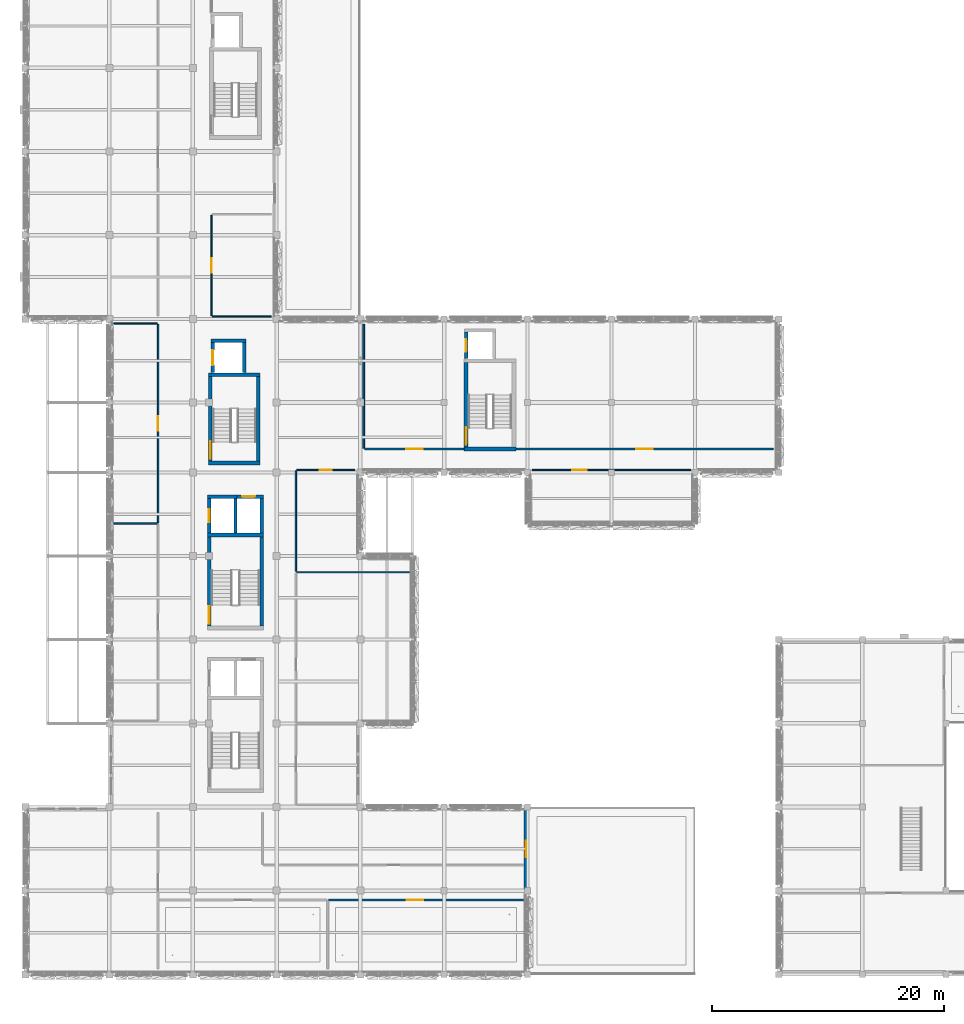
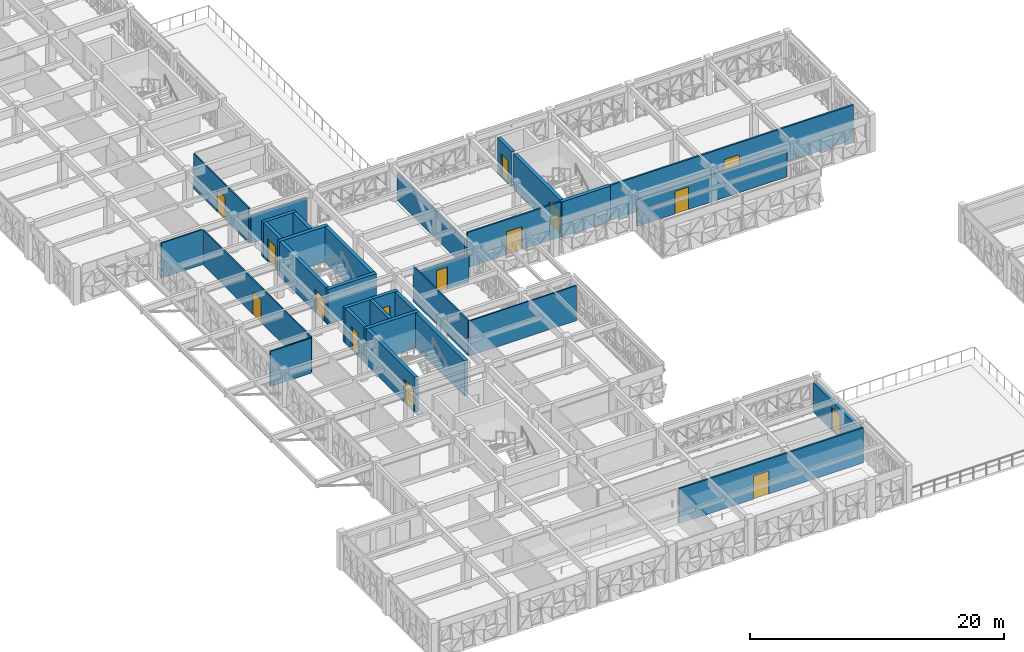
# One storey, part 51 of 99: 32 walls, 15 doors, 15 openings.
"""IFC4 building model written with IfcOpenShell, lengths in metres."""

from ifc_helpers import new_model, si_unit, direction, frame, frame_2d, origin, place, context, subcontext, project, spatial, rectangle, extrude, material, layer, layer_set, type_object, element, fill, save


model = new_model("IFC4")

# Units and contexts
model_context = context("Model", 3, precision=1e-05, world=origin(), true_north=direction((0.0, 1.0)))
body_context = subcontext(model_context, "Body", "Model", "MODEL_VIEW")
ifc_project = project(units=[si_unit("LENGTHUNIT", "METRE"), si_unit("AREAUNIT", "SQUARE_METRE"), si_unit("VOLUMEUNIT", "CUBIC_METRE"), si_unit("PLANEANGLEUNIT", "RADIAN"), si_unit("MASSUNIT", "GRAM", prefix="KILO")], contexts=[model_context])

# Site, building, storey
site_placement = place(None, origin())
site = spatial("IfcSite", under=ifc_project, at=site_placement, CompositionType="ELEMENT")
building_placement = place(site_placement, origin())
building = spatial("IfcBuilding", under=site, at=building_placement, Name="Alvorim Cloister Faculty of Sciences", CompositionType="ELEMENT")
storey_placement = place(building_placement, frame((0.0, 0.0, 12.14990234375)))
storey = spatial("IfcBuildingStorey", under=building, at=storey_placement, Name="L03", CompositionType="ELEMENT", Elevation=12.14990234375)

# Wall, opening, door
ifc_material_1 = material(Name="Precast Concrete C40", Category="concrete")
ifc_layer_1 = layer(ifc_material_1, 0.320068359375)
ifc_layer_set_1 = layer_set([ifc_layer_1], Name="Precast Concrete C40")
wall_type_1 = type_object("IfcWallType", Name="WL-EXT-PC-320", PredefinedType="SOLIDWALL", material=ifc_layer_set_1)
wall_1_placement = place(storey_placement, frame((43.0400390625, 7.199951171875, 0.0), z_axis=(0.0, 0.0, 1.0), x_axis=(0.0, 1.0, 0.0)))
wall_1 = element("IfcWall", 1, at=wall_1_placement, inside=storey, type_object=wall_type_1, Name="L03 Exterior Wall WL-0195", PredefinedType="SOLIDWALL", context=body_context, shape_type="SweptSolid", body=[
    extrude(rectangle(XDim=7.199951171875, YDim=0.320068359375, at=frame_2d((3.60009765625, 0.0))), origin(), (0.0, 0.0, 1.0), 2.840087890625),
])
opening_1_placement = place(wall_1_placement, frame((2.89990234375, 0.0, 0.0)))
opening_1 = element("IfcOpeningElement", 2, at=opening_1_placement, cuts=wall_1, Name="Opening TD-04", PredefinedType="OPENING", context=body_context, shape_type="SweptSolid", body=[
    extrude(rectangle(XDim=1.39990234375, YDim=2.199951171875, at=frame_2d((0.699951171875, 1.10009765625))), frame((0.0, 0.171875, 0.0), z_axis=(0.0, -1.0, 0.0), x_axis=(1.0, 0.0, 0.0)), (0.0, 0.0, 1.0), 0.343994140625),
])
ifc_material_2 = material(Name="Aluminium Alloy 6063-T6", Category="aluminium")
door_type_1 = type_object("IfcDoorType", Name="DR-TER-1400x2200", OperationType="NOTDEFINED", PredefinedType="DOOR", material=ifc_material_2)
door_1_placement = place(opening_1_placement, origin())
door_1 = element("IfcDoor", 3, at=door_1_placement, inside=storey, type_object=door_type_1, Name="L03 South Cloister Quadrangle Roof Garden Access Door TD-04", OperationType="DOUBLE_DOOR_SINGLE_SWING", OverallHeight=2.199951171875, OverallWidth=1.39990234375, PredefinedType="DOOR", context=body_context, shape_type="SweptSolid", body=[
    extrude(rectangle(XDim=1.39990234375, YDim=2.199951171875, at=frame_2d((0.699951171875, 1.10009765625))), frame((0.0, 0.02490234375, 0.0), z_axis=(0.0, -1.0, 0.0), x_axis=(1.0, 0.0, 0.0)), (0.0, 0.0, 1.0), 0.050048828125),
])
fill(opening_1, door_1)

# Wall
ifc_material_3 = material(Name="Acoustic Gypsum Stud Partition", Category="gypsum")
ifc_layer_2 = layer(ifc_material_3, 0.1201171875)
ifc_layer_set_2 = layer_set([ifc_layer_2], Name="Acoustic Gypsum Stud Partition")
wall_type_2 = type_object("IfcWallType", Name="WL-PRT-120", PredefinedType="PARTITIONING", material=ifc_layer_set_2)
wall_2_placement = place(storey_placement, frame((7.580078125, 38.800048828125, 0.0), z_axis=(0.0, 0.0, 1.0), x_axis=(1.0, 0.0, 0.0)))
element("IfcWall", 4, at=wall_2_placement, inside=storey, type_object=wall_type_2, Name="L03 Quantum Chemistry Cluster Studio Partition IWL-0585", PredefinedType="PARTITIONING", context=body_context, shape_type="SweptSolid", body=[
    extrude(rectangle(XDim=3.739990234375, YDim=0.1201171875, at=frame_2d((1.8701171875, 0.0))), origin(), (0.0, 0.0, 1.0), 3.375),
])

# Wall, opening, door
wall_3_placement = place(storey_placement, frame((11.39990234375, 38.8798828125, 0.0), z_axis=(0.0, 0.0, 1.0), x_axis=(0.0, 1.0, 0.0)))
wall_3 = element("IfcWall", 5, at=wall_3_placement, inside=storey, type_object=wall_type_2, Name="L03 Colloquium Room 302 Partition IWL-0586", PredefinedType="PARTITIONING", context=body_context, shape_type="SweptSolid", body=[
    extrude(rectangle(XDim=17.0400390625, YDim=0.1201171875, at=frame_2d((8.52001953125, 0.0))), origin(), (0.0, 0.0, 1.0), 3.375),
])
opening_2_placement = place(wall_3_placement, frame((7.889892578125, 0.0, 0.0)))
opening_2 = element("IfcOpeningElement", 6, at=opening_2_placement, cuts=wall_3, Name="Opening D-L03-148", PredefinedType="OPENING", context=body_context, shape_type="SweptSolid", body=[
    extrude(rectangle(XDim=1.260009765625, YDim=2.179931640625, at=frame_2d((0.6298828125, 1.08984375))), frame((0.0, 0.072021484375, 0.0), z_axis=(0.0, -1.0, 0.0), x_axis=(1.0, 0.0, 0.0)), (0.0, 0.0, 1.0), 0.14404296875),
])
ifc_material_4 = material(Name="Solid Acoustic Oak Timber", Category="wood")
door_type_2 = type_object("IfcDoorType", Name="DR-SEM-1260x2180", OperationType="NOTDEFINED", PredefinedType="DOOR", material=ifc_material_4)
door_2_placement = place(opening_2_placement, origin())
door_2 = element("IfcDoor", 7, at=door_2_placement, inside=storey, type_object=door_type_2, Name="Colloquium Room 302 Door D-L03-148", OperationType="SINGLE_SWING_RIGHT", OverallHeight=2.179931640625, OverallWidth=1.260009765625, PredefinedType="DOOR", context=body_context, shape_type="SweptSolid", body=[
    extrude(rectangle(XDim=1.260009765625, YDim=2.179931640625, at=frame_2d((0.6298828125, 1.08984375))), frame((0.0, 0.02490234375, 0.0), z_axis=(0.0, -1.0, 0.0), x_axis=(1.0, 0.0, 0.0)), (0.0, 0.0, 1.0), 0.050048828125),
])
fill(opening_2, door_2)

# Walls
wall_4_placement = place(storey_placement, frame((7.580078125, 56.0, 0.0), z_axis=(0.0, 0.0, 1.0), x_axis=(1.0, 0.0, 0.0)))
element("IfcWall", 8, at=wall_4_placement, inside=storey, type_object=wall_type_2, Name="L03 Colloquium Room 302 Partition IWL-0587", PredefinedType="PARTITIONING", context=body_context, shape_type="SweptSolid", body=[
    extrude(rectangle(XDim=3.739990234375, YDim=0.1201171875, at=frame_2d((1.8701171875, 0.0))), origin(), (0.0, 0.0, 1.0), 3.375),
])
wall_5_placement = place(storey_placement, frame((23.330078125, 34.60009765625, 0.0), z_axis=(0.0, 0.0, 1.0), x_axis=(1.0, 0.0, 0.0)))
element("IfcWall", 9, at=wall_5_placement, inside=storey, type_object=wall_type_2, Name="L03 East Cantilevered Postdoctoral Studio Partition IWL-0592", PredefinedType="PARTITIONING", context=body_context, shape_type="SweptSolid", body=[
    extrude(rectangle(XDim=9.68994140625, YDim=0.1201171875, at=frame_2d((4.844970703125, 0.0))), origin(), (0.0, 0.0, 1.0), 3.375),
])
wall_6_placement = place(storey_placement, frame((23.25, 34.679931640625, 0.0), z_axis=(0.0, 0.0, 1.0), x_axis=(0.0, 1.0, 0.0)))
element("IfcWall", 10, at=wall_6_placement, inside=storey, type_object=wall_type_2, Name="L03 Departmental Administration Partition IWL-0593", PredefinedType="PARTITIONING", context=body_context, shape_type="SweptSolid", body=[
    extrude(rectangle(XDim=8.64013671875, YDim=0.1201171875, at=frame_2d((4.320068359375, 0.0))), origin(), (0.0, 0.0, 1.0), 3.375),
])

# Wall, opening, door
wall_7_placement = place(storey_placement, frame((23.330078125, 43.39990234375, 0.0), z_axis=(0.0, 0.0, 1.0), x_axis=(1.0, 0.0, 0.0)))
wall_7 = element("IfcWall", 11, at=wall_7_placement, inside=storey, type_object=wall_type_2, Name="L03 Departmental Administration Partition IWL-0594", PredefinedType="PARTITIONING", context=body_context, shape_type="SweptSolid", body=[
    extrude(rectangle(XDim=4.989990234375, YDim=0.1201171875, at=frame_2d((2.4951171875, 0.0))), origin(), (0.0, 0.0, 1.0), 2.691162109375),
])
opening_3_placement = place(wall_7_placement, frame((1.9951171875, 0.0, 0.0)))
opening_3 = element("IfcOpeningElement", 12, at=opening_3_placement, cuts=wall_7, Name="Opening D-L03-151", PredefinedType="OPENING", context=body_context, shape_type="SweptSolid", body=[
    extrude(rectangle(XDim=1.0, YDim=2.14990234375, at=frame_2d((0.5, 1.074951171875))), frame((0.0, 0.072021484375, 0.0), z_axis=(0.0, -1.0, 0.0), x_axis=(1.0, 0.0, 0.0)), (0.0, 0.0, 1.0), 0.14404296875),
])
door_type_3 = type_object("IfcDoorType", Name="DR-OFF-1000x2150", OperationType="NOTDEFINED", PredefinedType="DOOR", material=ifc_material_4)
door_3_placement = place(opening_3_placement, origin())
door_3 = element("IfcDoor", 13, at=door_3_placement, inside=storey, type_object=door_type_3, Name="Departmental Administration Door D-L03-151", OperationType="SINGLE_SWING_LEFT", OverallHeight=2.14990234375, OverallWidth=1.0, PredefinedType="DOOR", context=body_context, shape_type="SweptSolid", body=[
    extrude(rectangle(XDim=1.0, YDim=2.14990234375, at=frame_2d((0.5, 1.074951171875))), frame((0.0, 0.02490234375, 0.0), z_axis=(0.0, -1.0, 0.0), x_axis=(1.0, 0.0, 0.0)), (0.0, 0.0, 1.0), 0.050048828125),
])
fill(opening_3, door_3)

wall_8_placement = place(storey_placement, frame((43.580078125, 43.39990234375, 0.0), z_axis=(0.0, 0.0, 1.0), x_axis=(1.0, 0.0, 0.0)))
wall_8 = element("IfcWall", 14, at=wall_8_placement, inside=storey, type_object=wall_type_2, Name="L03 Cloister Overlook Seminar Balcony Partition IWL-0598", PredefinedType="PARTITIONING", context=body_context, shape_type="SweptSolid", body=[
    extrude(rectangle(XDim=13.639892578125, YDim=0.1201171875, at=frame_2d((6.81982421875, 0.0))), origin(), (0.0, 0.0, 1.0), 2.59521484375),
])
opening_4_placement = place(wall_8_placement, frame((3.45361328125, 0.0, 0.0)))
opening_4 = element("IfcOpeningElement", 15, at=opening_4_placement, cuts=wall_8, Name="Opening D-L03-154", PredefinedType="OPENING", context=body_context, shape_type="SweptSolid", body=[
    extrude(rectangle(XDim=1.260009765625, YDim=2.179931640625, at=frame_2d((0.6298828125, 1.08984375))), frame((0.0, 0.072021484375, 0.0), z_axis=(0.0, -1.0, 0.0), x_axis=(1.0, 0.0, 0.0)), (0.0, 0.0, 1.0), 0.14404296875),
])
door_4_placement = place(opening_4_placement, origin())
door_4 = element("IfcDoor", 16, at=door_4_placement, inside=storey, type_object=door_type_2, Name="Cloister Overlook Seminar Balcony Door D-L03-154", OperationType="SINGLE_SWING_RIGHT", OverallHeight=2.179931640625, OverallWidth=1.260009765625, PredefinedType="DOOR", context=body_context, shape_type="SweptSolid", body=[
    extrude(rectangle(XDim=1.260009765625, YDim=2.179931640625, at=frame_2d((0.6298828125, 1.08984375))), frame((0.0, 0.02490234375, 0.0), z_axis=(0.0, -1.0, 0.0), x_axis=(1.0, 0.0, 0.0)), (0.0, 0.0, 1.0), 0.050048828125),
])
fill(opening_4, door_4)

wall_9_placement = place(storey_placement, frame((16.0, 56.679931640625, 0.0), z_axis=(0.0, 0.0, 1.0), x_axis=(0.0, 1.0, 0.0)))
wall_9 = element("IfcWall", 17, at=wall_9_placement, inside=storey, type_object=wall_type_2, Name="L03 Commons Terrace Seminar 304 Partition IWL-0602", PredefinedType="PARTITIONING", context=body_context, shape_type="SweptSolid", body=[
    extrude(rectangle(XDim=8.64013671875, YDim=0.1201171875, at=frame_2d((4.320068359375, 0.0))), origin(), (0.0, 0.0, 1.0), 3.375),
])
opening_5_placement = place(wall_9_placement, frame((3.68994140625, 0.0, 0.0)))
opening_5 = element("IfcOpeningElement", 18, at=opening_5_placement, cuts=wall_9, Name="Opening D-L03-157", PredefinedType="OPENING", context=body_context, shape_type="SweptSolid", body=[
    extrude(rectangle(XDim=1.260009765625, YDim=2.179931640625, at=frame_2d((0.6298828125, 1.08984375))), frame((0.0, 0.072021484375, 0.0), z_axis=(0.0, -1.0, 0.0), x_axis=(1.0, 0.0, 0.0)), (0.0, 0.0, 1.0), 0.14404296875),
])
door_5_placement = place(opening_5_placement, origin())
door_5 = element("IfcDoor", 19, at=door_5_placement, inside=storey, type_object=door_type_2, Name="Commons Terrace Seminar 304 Door D-L03-157", OperationType="SINGLE_SWING_LEFT", OverallHeight=2.179931640625, OverallWidth=1.260009765625, PredefinedType="DOOR", context=body_context, shape_type="SweptSolid", body=[
    extrude(rectangle(XDim=1.260009765625, YDim=2.179931640625, at=frame_2d((0.6298828125, 1.08984375))), frame((0.0, 0.02490234375, 0.0), z_axis=(0.0, -1.0, 0.0), x_axis=(1.0, 0.0, 0.0)), (0.0, 0.0, 1.0), 0.050048828125),
])
fill(opening_5, door_5)

# Wall
wall_10_placement = place(storey_placement, frame((16.080078125, 56.60009765625, 0.0), z_axis=(0.0, 0.0, 1.0), x_axis=(1.0, 0.0, 0.0)))
element("IfcWall", 20, at=wall_10_placement, inside=storey, type_object=wall_type_2, Name="L03 Commons Terrace Seminar 304 Partition IWL-0603", PredefinedType="PARTITIONING", context=body_context, shape_type="SweptSolid", body=[
    extrude(rectangle(XDim=5.0400390625, YDim=0.1201171875, at=frame_2d((2.52001953125, 0.0))), origin(), (0.0, 0.0, 1.0), 2.691162109375),
])

# Wall, opening, door
ifc_material_5 = material(Name="Gypsum Fireboard Stud Partition", Category="gypsum")
ifc_layer_3 = layer(ifc_material_5, 0.14990234375)
ifc_layer_set_3 = layer_set([ifc_layer_3], Name="Gypsum Fireboard Stud Partition")
wall_type_3 = type_object("IfcWallType", Name="WL-PRT-150", PredefinedType="PARTITIONING", material=ifc_layer_set_3)
wall_11_placement = place(storey_placement, frame((26.080078125, 6.39990234375, 0.0), z_axis=(0.0, 0.0, 1.0), x_axis=(1.0, 0.0, 0.0)))
wall_11 = element("IfcWall", 21, at=wall_11_placement, inside=storey, type_object=wall_type_3, Name="L03 Polymer Science Laboratory Partition IWL-0580", PredefinedType="PARTITIONING", context=body_context, shape_type="SweptSolid", body=[
    extrude(rectangle(XDim=16.739990234375, YDim=0.14990234375, at=frame_2d((8.3701171875, 0.0))), origin(), (0.0, 0.0, 1.0), 3.375),
])
opening_6_placement = place(wall_11_placement, frame((6.72998046875, 0.0, 0.0)))
opening_6 = element("IfcOpeningElement", 22, at=opening_6_placement, cuts=wall_11, Name="Opening D-L03-145", PredefinedType="OPENING", context=body_context, shape_type="SweptSolid", body=[
    extrude(rectangle(XDim=1.419921875, YDim=2.219970703125, at=frame_2d((0.7099609375, 1.10986328125))), frame((0.0, 0.0869140625, 0.0), z_axis=(0.0, -1.0, 0.0), x_axis=(1.0, 0.0, 0.0)), (0.0, 0.0, 1.0), 0.173828125),
])
ifc_material_6 = material(Name="Fire-Rated Laminate Timber", Category="wood")
door_type_4 = type_object("IfcDoorType", Name="DR-LAB-1420x2220", OperationType="NOTDEFINED", PredefinedType="DOOR", material=ifc_material_6)
door_6_placement = place(opening_6_placement, origin())
door_6 = element("IfcDoor", 23, at=door_6_placement, inside=storey, type_object=door_type_4, Name="Polymer Science Laboratory Door D-L03-145", OperationType="SINGLE_SWING_LEFT", OverallHeight=2.219970703125, OverallWidth=1.419921875, PredefinedType="DOOR", context=body_context, shape_type="SweptSolid", body=[
    extrude(rectangle(XDim=1.419921875, YDim=2.219970703125, at=frame_2d((0.7099609375, 1.10986328125))), frame((0.0, 0.02490234375, 0.0), z_axis=(0.0, -1.0, 0.0), x_axis=(1.0, 0.0, 0.0)), (0.0, 0.0, 1.0), 0.050048828125),
])
fill(opening_6, door_6)

# Wall
wall_12_placement = place(storey_placement, frame((29.10009765625, 45.280029296875, 0.0), z_axis=(0.0, 0.0, 1.0), x_axis=(0.0, 1.0, 0.0)))
element("IfcWall", 24, at=wall_12_placement, inside=storey, type_object=wall_type_3, Name="L03 Plant Physiology Laboratory Partition IWL-0595", PredefinedType="PARTITIONING", context=body_context, shape_type="SweptSolid", body=[
    extrude(rectangle(XDim=10.639892578125, YDim=0.14990234375, at=frame_2d((5.31982421875, 0.0))), origin(), (0.0, 0.0, 1.0), 2.655029296875),
])

# Wall, opening, door
wall_13_placement = place(storey_placement, frame((29.179931640625, 45.199951171875, 0.0), z_axis=(0.0, 0.0, 1.0), x_axis=(1.0, 0.0, 0.0)))
wall_13 = element("IfcWall", 25, at=wall_13_placement, inside=storey, type_object=wall_type_3, Name="L03 Plant Physiology Laboratory Partition IWL-0596", PredefinedType="PARTITIONING", context=body_context, shape_type="SweptSolid", body=[
    extrude(rectangle(XDim=8.5400390625, YDim=0.14990234375, at=frame_2d((4.27001953125, 0.0))), origin(), (0.0, 0.0, 1.0), 3.375),
])
opening_7_placement = place(wall_13_placement, frame((3.56005859375, 0.0, 0.0)))
opening_7 = element("IfcOpeningElement", 26, at=opening_7_placement, cuts=wall_13, Name="Opening D-L03-152", PredefinedType="OPENING", context=body_context, shape_type="SweptSolid", body=[
    extrude(rectangle(XDim=1.419921875, YDim=2.219970703125, at=frame_2d((0.7099609375, 1.10986328125))), frame((0.0, 0.0869140625, 0.0), z_axis=(0.0, -1.0, 0.0), x_axis=(1.0, 0.0, 0.0)), (0.0, 0.0, 1.0), 0.173828125),
])
door_7_placement = place(opening_7_placement, origin())
door_7 = element("IfcDoor", 27, at=door_7_placement, inside=storey, type_object=door_type_4, Name="Plant Physiology Laboratory Door D-L03-152", OperationType="SINGLE_SWING_RIGHT", OverallHeight=2.219970703125, OverallWidth=1.419921875, PredefinedType="DOOR", context=body_context, shape_type="SweptSolid", body=[
    extrude(rectangle(XDim=1.419921875, YDim=2.219970703125, at=frame_2d((0.7099609375, 1.10986328125))), frame((0.0, 0.02490234375, 0.0), z_axis=(0.0, -1.0, 0.0), x_axis=(1.0, 0.0, 0.0)), (0.0, 0.0, 1.0), 0.050048828125),
])
fill(opening_7, door_7)

wall_14_placement = place(storey_placement, frame((42.179931640625, 45.199951171875, 0.0), z_axis=(0.0, 0.0, 1.0), x_axis=(1.0, 0.0, 0.0)))
wall_14 = element("IfcWall", 28, at=wall_14_placement, inside=storey, type_object=wall_type_3, Name="L03 Botanical Taxonomy Herbarium Partition IWL-0597", PredefinedType="PARTITIONING", context=body_context, shape_type="SweptSolid", body=[
    extrude(rectangle(XDim=22.14013671875, YDim=0.14990234375, at=frame_2d((11.070068359375, 0.0))), origin(), (0.0, 0.0, 1.0), 3.375),
])
opening_8_placement = place(wall_14_placement, frame((10.360107421875, 0.0, 0.0)))
opening_8 = element("IfcOpeningElement", 29, at=opening_8_placement, cuts=wall_14, Name="Opening D-L03-153", PredefinedType="OPENING", context=body_context, shape_type="SweptSolid", body=[
    extrude(rectangle(XDim=1.419921875, YDim=2.219970703125, at=frame_2d((0.7099609375, 1.10986328125))), frame((0.0, 0.0869140625, 0.0), z_axis=(0.0, -1.0, 0.0), x_axis=(1.0, 0.0, 0.0)), (0.0, 0.0, 1.0), 0.173828125),
])
door_8_placement = place(opening_8_placement, origin())
door_8 = element("IfcDoor", 30, at=door_8_placement, inside=storey, type_object=door_type_4, Name="Botanical Taxonomy Herbarium Door D-L03-153", OperationType="SINGLE_SWING_LEFT", OverallHeight=2.219970703125, OverallWidth=1.419921875, PredefinedType="DOOR", context=body_context, shape_type="SweptSolid", body=[
    extrude(rectangle(XDim=1.419921875, YDim=2.219970703125, at=frame_2d((0.7099609375, 1.10986328125))), frame((0.0, 0.02490234375, 0.0), z_axis=(0.0, -1.0, 0.0), x_axis=(1.0, 0.0, 0.0)), (0.0, 0.0, 1.0), 0.050048828125),
])
fill(opening_8, door_8)

# Wall
ifc_material_7 = material(Name="Concrete C40", Category="concrete")
ifc_layer_4 = layer(ifc_material_7, 0.300048828125)
ifc_layer_set_4 = layer_set([ifc_layer_4], Name="Concrete C40")
wall_type_4 = type_object("IfcWallType", Name="WL-SHR-300", PredefinedType="SHEAR", material=ifc_layer_set_4)
wall_15_placement = place(storey_placement, frame((15.64990234375, 41.10009765625, 0.0), z_axis=(0.0, 0.0, 1.0), x_axis=(1.0, 0.0, 0.0)))
element("IfcWall", 31, at=wall_15_placement, inside=storey, type_object=wall_type_4, Name="L03 Lift LP-02 Shaft Wall IWL-0300", PredefinedType="SHEAR", context=body_context, shape_type="SweptSolid", body=[
    extrude(rectangle(XDim=2.56005859375, YDim=0.300048828125, at=frame_2d((1.280029296875, 0.0))), origin(), (0.0, 0.0, 1.0), 3.39013671875),
])

# Wall, opening, door
wall_16_placement = place(storey_placement, frame((15.800048828125, 37.97998046875, 0.0), z_axis=(0.0, 0.0, 1.0), x_axis=(0.0, 1.0, 0.0)))
wall_16 = element("IfcWall", 32, at=wall_16_placement, inside=storey, type_object=wall_type_4, Name="L03 Lift LP-02 Shaft Wall IWL-0301", PredefinedType="SHEAR", context=body_context, shape_type="SweptSolid", body=[
    extrude(rectangle(XDim=2.969970703125, YDim=0.300048828125, at=frame_2d((1.48486328125, 0.0))), origin(), (0.0, 0.0, 1.0), 3.39013671875),
])
opening_9_placement = place(wall_16_placement, frame((0.93505859375, 0.0, 0.0)))
opening_9 = element("IfcOpeningElement", 33, at=opening_9_placement, cuts=wall_16, Name="Opening LD-027", PredefinedType="OPENING", context=body_context, shape_type="SweptSolid", body=[
    extrude(rectangle(XDim=1.10009765625, YDim=2.199951171875, at=frame_2d((0.550048828125, 1.10009765625))), frame((0.0, 0.162109375, 0.0), z_axis=(0.0, -1.0, 0.0), x_axis=(1.0, 0.0, 0.0)), (0.0, 0.0, 1.0), 0.323974609375),
])
ifc_material_8 = material(Name="Brushed Stainless Steel", Category="steel")
door_type_5 = type_object("IfcDoorType", Name="DR-LFT-1100x2200", OperationType="NOTDEFINED", PredefinedType="DOOR", material=ifc_material_8)
door_9_placement = place(opening_9_placement, origin())
door_9 = element("IfcDoor", 34, at=door_9_placement, inside=storey, type_object=door_type_5, Name="L03 Lift LP-02 Sliding Landing Door LD-027", OperationType="DOUBLE_DOOR_SLIDING", OverallHeight=2.199951171875, OverallWidth=1.10009765625, PredefinedType="DOOR", context=body_context, shape_type="SweptSolid", body=[
    extrude(rectangle(XDim=1.10009765625, YDim=2.199951171875, at=frame_2d((0.550048828125, 1.10009765625))), frame((0.0, 0.02490234375, 0.0), z_axis=(0.0, -1.0, 0.0), x_axis=(1.0, 0.0, 0.0)), (0.0, 0.0, 1.0), 0.050048828125),
])
fill(opening_9, door_9)

# Wall
wall_17_placement = place(storey_placement, frame((18.06005859375, 37.97998046875, 0.0), z_axis=(0.0, 0.0, 1.0), x_axis=(0.0, 1.0, 0.0)))
element("IfcWall", 35, at=wall_17_placement, inside=storey, type_object=wall_type_4, Name="L03 Lift LP-02 Shaft Wall IWL-0302", PredefinedType="SHEAR", context=body_context, shape_type="SweptSolid", body=[
    extrude(rectangle(XDim=2.969970703125, YDim=0.300048828125, at=frame_2d((1.48486328125, 0.0))), origin(), (0.0, 0.0, 1.0), 3.39013671875),
])

# Wall, opening, door
wall_18_placement = place(storey_placement, frame((17.909912109375, 41.10009765625, 0.0), z_axis=(0.0, 0.0, 1.0), x_axis=(1.0, 0.0, 0.0)))
wall_18 = element("IfcWall", 36, at=wall_18_placement, inside=storey, type_object=wall_type_4, Name="L03 Lift LP-03 Shaft Wall IWL-0326", PredefinedType="SHEAR", context=body_context, shape_type="SweptSolid", body=[
    extrude(rectangle(XDim=2.56005859375, YDim=0.300048828125, at=frame_2d((1.280029296875, 0.0))), origin(), (0.0, 0.0, 1.0), 3.39013671875),
])
opening_10_placement = place(wall_18_placement, frame((0.72998046875, 0.0, 0.0)))
opening_10 = element("IfcOpeningElement", 37, at=opening_10_placement, cuts=wall_18, Name="Opening LD-037", PredefinedType="OPENING", context=body_context, shape_type="SweptSolid", body=[
    extrude(rectangle(XDim=1.10009765625, YDim=2.199951171875, at=frame_2d((0.550048828125, 1.10009765625))), frame((0.0, 0.162109375, 0.0), z_axis=(0.0, -1.0, 0.0), x_axis=(1.0, 0.0, 0.0)), (0.0, 0.0, 1.0), 0.323974609375),
])
door_10_placement = place(opening_10_placement, origin())
door_10 = element("IfcDoor", 38, at=door_10_placement, inside=storey, type_object=door_type_5, Name="L03 Lift LP-03 Sliding Landing Door LD-037", OperationType="DOUBLE_DOOR_SLIDING", OverallHeight=2.199951171875, OverallWidth=1.10009765625, PredefinedType="DOOR", context=body_context, shape_type="SweptSolid", body=[
    extrude(rectangle(XDim=1.10009765625, YDim=2.199951171875, at=frame_2d((0.550048828125, 1.10009765625))), frame((0.0, 0.02490234375, 0.0), z_axis=(0.0, -1.0, 0.0), x_axis=(1.0, 0.0, 0.0)), (0.0, 0.0, 1.0), 0.050048828125),
])
fill(opening_10, door_10)

# Wall
wall_19_placement = place(storey_placement, frame((20.320068359375, 37.97998046875, 0.0), z_axis=(0.0, 0.0, 1.0), x_axis=(0.0, 1.0, 0.0)))
element("IfcWall", 39, at=wall_19_placement, inside=storey, type_object=wall_type_4, Name="L03 Lift LP-03 Shaft Wall IWL-0327", PredefinedType="SHEAR", context=body_context, shape_type="SweptSolid", body=[
    extrude(rectangle(XDim=2.969970703125, YDim=0.300048828125, at=frame_2d((1.48486328125, 0.0))), origin(), (0.0, 0.0, 1.0), 3.39013671875),
])

# Wall, opening, door
wall_20_placement = place(storey_placement, frame((37.89990234375, 52.97998046875, 0.0), z_axis=(0.0, 0.0, 1.0), x_axis=(0.0, 1.0, 0.0)))
wall_20 = element("IfcWall", 40, at=wall_20_placement, inside=storey, type_object=wall_type_4, Name="L03 Lift LP-04 Shaft Wall IWL-0351", PredefinedType="SHEAR", context=body_context, shape_type="SweptSolid", body=[
    extrude(rectangle(XDim=2.27001953125, YDim=0.300048828125, at=frame_2d((1.135009765625, 0.0))), origin(), (0.0, 0.0, 1.0), 3.39013671875),
])
opening_11_placement = place(wall_20_placement, frame((0.5849609375, 0.0, 0.0)))
opening_11 = element("IfcOpeningElement", 41, at=opening_11_placement, cuts=wall_20, Name="Opening LD-047", PredefinedType="OPENING", context=body_context, shape_type="SweptSolid", body=[
    extrude(rectangle(XDim=1.10009765625, YDim=2.199951171875, at=frame_2d((0.550048828125, 1.10009765625))), frame((0.0, 0.162109375, 0.0), z_axis=(0.0, -1.0, 0.0), x_axis=(1.0, 0.0, 0.0)), (0.0, 0.0, 1.0), 0.323974609375),
])
door_11_placement = place(opening_11_placement, origin())
door_11 = element("IfcDoor", 42, at=door_11_placement, inside=storey, type_object=door_type_5, Name="L03 Lift LP-04 Sliding Landing Door LD-047", OperationType="DOUBLE_DOOR_SLIDING", OverallHeight=2.199951171875, OverallWidth=1.10009765625, PredefinedType="DOOR", context=body_context, shape_type="SweptSolid", body=[
    extrude(rectangle(XDim=1.10009765625, YDim=2.199951171875, at=frame_2d((0.550048828125, 1.10009765625))), frame((0.0, 0.02490234375, 0.0), z_axis=(0.0, -1.0, 0.0), x_axis=(1.0, 0.0, 0.0)), (0.0, 0.0, 1.0), 0.050048828125),
])
fill(opening_11, door_11)

# Wall
wall_21_placement = place(storey_placement, frame((15.949951171875, 54.5, 0.0), z_axis=(0.0, 0.0, 1.0), x_axis=(1.0, 0.0, 0.0)))
element("IfcWall", 43, at=wall_21_placement, inside=storey, type_object=wall_type_4, Name="L03 Lift LG-01 Shaft Wall IWL-0392", PredefinedType="SHEAR", context=body_context, shape_type="SweptSolid", body=[
    extrude(rectangle(XDim=3.0, YDim=0.300048828125, at=frame_2d((1.5, 0.0))), origin(), (0.0, 0.0, 1.0), 3.39013671875),
])

# Wall, opening, door
wall_22_placement = place(storey_placement, frame((16.10009765625, 51.780029296875, 0.0), z_axis=(0.0, 0.0, 1.0), x_axis=(0.0, 1.0, 0.0)))
wall_22 = element("IfcWall", 44, at=wall_22_placement, inside=storey, type_object=wall_type_4, Name="L03 Lift LG-01 Shaft Wall IWL-0393", PredefinedType="SHEAR", context=body_context, shape_type="SweptSolid", body=[
    extrude(rectangle(XDim=2.570068359375, YDim=0.300048828125, at=frame_2d((1.28515625, 0.0))), origin(), (0.0, 0.0, 1.0), 3.39013671875),
])
opening_12_placement = place(wall_22_placement, frame((0.635009765625, 0.0, 0.0)))
opening_12 = element("IfcOpeningElement", 45, at=opening_12_placement, cuts=wall_22, Name="Opening LD-061", PredefinedType="OPENING", context=body_context, shape_type="SweptSolid", body=[
    extrude(rectangle(XDim=1.300048828125, YDim=2.25, at=frame_2d((0.64990234375, 1.125))), frame((0.0, 0.162109375, 0.0), z_axis=(0.0, -1.0, 0.0), x_axis=(1.0, 0.0, 0.0)), (0.0, 0.0, 1.0), 0.323974609375),
])
door_type_6 = type_object("IfcDoorType", Name="DR-LFT-1300x2250", OperationType="NOTDEFINED", PredefinedType="DOOR", material=ifc_material_8)
door_12_placement = place(opening_12_placement, origin())
door_12 = element("IfcDoor", 46, at=door_12_placement, inside=storey, type_object=door_type_6, Name="L03 Lift LG-01 Sliding Landing Door LD-061", OperationType="DOUBLE_DOOR_SLIDING", OverallHeight=2.25, OverallWidth=1.300048828125, PredefinedType="DOOR", context=body_context, shape_type="SweptSolid", body=[
    extrude(rectangle(XDim=1.300048828125, YDim=2.25, at=frame_2d((0.64990234375, 1.125))), frame((0.0, 0.02490234375, 0.0), z_axis=(0.0, -1.0, 0.0), x_axis=(1.0, 0.0, 0.0)), (0.0, 0.0, 1.0), 0.050048828125),
])
fill(opening_12, door_12)

# Walls
wall_23_placement = place(storey_placement, frame((18.800048828125, 51.780029296875, 0.0), z_axis=(0.0, 0.0, 1.0), x_axis=(0.0, 1.0, 0.0)))
element("IfcWall", 47, at=wall_23_placement, inside=storey, type_object=wall_type_4, Name="L03 Lift LG-01 Shaft Wall IWL-0394", PredefinedType="SHEAR", context=body_context, shape_type="SweptSolid", body=[
    extrude(rectangle(XDim=2.570068359375, YDim=0.300048828125, at=frame_2d((1.28515625, 0.0))), origin(), (0.0, 0.0, 1.0), 3.39013671875),
])
ifc_layer_5 = layer(ifc_material_7, 0.320068359375)
ifc_layer_set_5 = layer_set([ifc_layer_5], Name="Concrete C40")
wall_type_5 = type_object("IfcWallType", Name="WL-SHR-320", PredefinedType="SHEAR", material=ifc_layer_set_5)
wall_24_placement = place(storey_placement, frame((15.639892578125, 37.800048828125, 0.0), z_axis=(0.0, 0.0, 1.0), x_axis=(1.0, 0.0, 0.0)))
element("IfcWall", 48, at=wall_24_placement, inside=storey, type_object=wall_type_5, Name="L03 CORE K2 Shear Wall IWL-0062", PredefinedType="SHEAR", context=body_context, shape_type="SweptSolid", body=[
    extrude(rectangle(XDim=4.840087890625, YDim=0.320068359375, at=frame_2d((2.419921875, 0.0))), origin(), (0.0, 0.0, 1.0), 3.39013671875),
])

# Wall, opening, door
wall_25_placement = place(storey_placement, frame((15.800048828125, 29.9599609375, 0.0), z_axis=(0.0, 0.0, 1.0), x_axis=(0.0, 1.0, 0.0)))
wall_25 = element("IfcWall", 49, at=wall_25_placement, inside=storey, type_object=wall_type_5, Name="L03 CORE K2 Shear Wall IWL-0063", PredefinedType="SHEAR", context=body_context, shape_type="SweptSolid", body=[
    extrude(rectangle(XDim=7.679931640625, YDim=0.320068359375, at=frame_2d((3.83984375, 0.0))), origin(), (0.0, 0.0, 1.0), 3.39013671875),
])
opening_13_placement = place(wall_25_placement, frame((0.219970703125, 0.0, 0.0)))
opening_13 = element("IfcOpeningElement", 50, at=opening_13_placement, cuts=wall_25, Name="Opening SD-K2-L03", PredefinedType="OPENING", context=body_context, shape_type="SweptSolid", body=[
    extrude(rectangle(XDim=1.5, YDim=2.199951171875, at=frame_2d((0.75, 1.10009765625))), frame((0.0, 0.171875, 0.0), z_axis=(0.0, -1.0, 0.0), x_axis=(1.0, 0.0, 0.0)), (0.0, 0.0, 1.0), 0.343994140625),
])
ifc_material_9 = material(Name="Galvanised Fire-Rated Steel", Category="steel")
door_type_7 = type_object("IfcDoorType", Name="DR-STR-1500x2200", OperationType="NOTDEFINED", PredefinedType="DOOR", material=ifc_material_9)
door_13_placement = place(opening_13_placement, origin())
door_13 = element("IfcDoor", 51, at=door_13_placement, inside=storey, type_object=door_type_7, Name="L03 Stair ST-02 Fire Door SD-K2-L03", OperationType="DOUBLE_DOOR_SINGLE_SWING", OverallHeight=2.199951171875, OverallWidth=1.5, PredefinedType="DOOR", context=body_context, shape_type="SweptSolid", body=[
    extrude(rectangle(XDim=1.5, YDim=2.199951171875, at=frame_2d((0.75, 1.10009765625))), frame((0.0, 0.02490234375, 0.0), z_axis=(0.0, -1.0, 0.0), x_axis=(1.0, 0.0, 0.0)), (0.0, 0.0, 1.0), 0.050048828125),
])
fill(opening_13, door_13)

# Walls
wall_26_placement = place(storey_placement, frame((20.320068359375, 29.9599609375, 0.0), z_axis=(0.0, 0.0, 1.0), x_axis=(0.0, 1.0, 0.0)))
element("IfcWall", 52, at=wall_26_placement, inside=storey, type_object=wall_type_5, Name="L03 CORE K2 Shear Wall IWL-0064", PredefinedType="SHEAR", context=body_context, shape_type="SweptSolid", body=[
    extrude(rectangle(XDim=7.679931640625, YDim=0.320068359375, at=frame_2d((3.83984375, 0.0))), origin(), (0.0, 0.0, 1.0), 3.39013671875),
])
for number, where, z_axis, x_axis, name in (
    (53, (15.739990234375, 44.0, 0.0), (0.0, 0.0, 1.0), (1.0, 0.0, 0.0), "L03 CORE K3 Shear Wall IWL-0105"),
    (54, (15.739990234375, 51.60009765625, 0.0), (0.0, 0.0, 1.0), (1.0, 0.0, 0.0), "L03 CORE K3 Shear Wall IWL-0106"),
):
    element("IfcWall", number, at=place(storey_placement, frame(where, z_axis=z_axis, x_axis=x_axis)), inside=storey, type_object=wall_type_5, Name=name, PredefinedType="SHEAR", context=body_context, shape_type="SweptSolid", body=[
        extrude(rectangle(XDim=4.43994140625, YDim=0.320068359375, at=frame_2d((2.219970703125, 0.0))), origin(), (0.0, 0.0, 1.0), 3.39013671875),
    ])

# Wall, opening, door
wall_27_placement = place(storey_placement, frame((15.89990234375, 44.159912109375, 0.0), z_axis=(0.0, 0.0, 1.0), x_axis=(0.0, 1.0, 0.0)))
wall_27 = element("IfcWall", 55, at=wall_27_placement, inside=storey, type_object=wall_type_5, Name="L03 CORE K3 Shear Wall IWL-0107", PredefinedType="SHEAR", context=body_context, shape_type="SweptSolid", body=[
    extrude(rectangle(XDim=7.280029296875, YDim=0.320068359375, at=frame_2d((3.64013671875, 0.0))), origin(), (0.0, 0.0, 1.0), 3.39013671875),
])
opening_14_placement = place(wall_27_placement, frame((0.219970703125, 0.0, 0.0)))
opening_14 = element("IfcOpeningElement", 56, at=opening_14_placement, cuts=wall_27, Name="Opening SD-K3-L03", PredefinedType="OPENING", context=body_context, shape_type="SweptSolid", body=[
    extrude(rectangle(XDim=1.5, YDim=2.199951171875, at=frame_2d((0.75, 1.10009765625))), frame((0.0, 0.171875, 0.0), z_axis=(0.0, -1.0, 0.0), x_axis=(1.0, 0.0, 0.0)), (0.0, 0.0, 1.0), 0.343994140625),
])
door_14_placement = place(opening_14_placement, origin())
door_14 = element("IfcDoor", 57, at=door_14_placement, inside=storey, type_object=door_type_7, Name="L03 Stair ST-03 Fire Door SD-K3-L03", OperationType="DOUBLE_DOOR_SINGLE_SWING", OverallHeight=2.199951171875, OverallWidth=1.5, PredefinedType="DOOR", context=body_context, shape_type="SweptSolid", body=[
    extrude(rectangle(XDim=1.5, YDim=2.199951171875, at=frame_2d((0.75, 1.10009765625))), frame((0.0, 0.02490234375, 0.0), z_axis=(0.0, -1.0, 0.0), x_axis=(1.0, 0.0, 0.0)), (0.0, 0.0, 1.0), 0.050048828125),
])
fill(opening_14, door_14)

# Walls
wall_28_placement = place(storey_placement, frame((20.02001953125, 44.159912109375, 0.0), z_axis=(0.0, 0.0, 1.0), x_axis=(0.0, 1.0, 0.0)))
element("IfcWall", 58, at=wall_28_placement, inside=storey, type_object=wall_type_5, Name="L03 CORE K3 Shear Wall IWL-0108", PredefinedType="SHEAR", context=body_context, shape_type="SweptSolid", body=[
    extrude(rectangle(XDim=7.280029296875, YDim=0.320068359375, at=frame_2d((3.64013671875, 0.0))), origin(), (0.0, 0.0, 1.0), 3.39013671875),
])
wall_29_placement = place(storey_placement, frame((37.739990234375, 45.199951171875, 0.0), z_axis=(0.0, 0.0, 1.0), x_axis=(1.0, 0.0, 0.0)))
element("IfcWall", 59, at=wall_29_placement, inside=storey, type_object=wall_type_5, Name="L03 CORE K4 Shear Wall IWL-0145", PredefinedType="SHEAR", context=body_context, shape_type="SweptSolid", body=[
    extrude(rectangle(XDim=4.43994140625, YDim=0.320068359375, at=frame_2d((2.219970703125, 0.0))), origin(), (0.0, 0.0, 1.0), 3.39013671875),
])

# Wall, opening, door
wall_30_placement = place(storey_placement, frame((37.89990234375, 45.360107421875, 0.0), z_axis=(0.0, 0.0, 1.0), x_axis=(0.0, 1.0, 0.0)))
wall_30 = element("IfcWall", 60, at=wall_30_placement, inside=storey, type_object=wall_type_5, Name="L03 CORE K4 Shear Wall IWL-0147", PredefinedType="SHEAR", context=body_context, shape_type="SweptSolid", body=[
    extrude(rectangle(XDim=7.27978515625, YDim=0.320068359375, at=frame_2d((3.639892578125, 0.0))), origin(), (0.0, 0.0, 1.0), 3.39013671875),
])
opening_15_placement = place(wall_30_placement, frame((0.219970703125, 0.0, 0.0)))
opening_15 = element("IfcOpeningElement", 61, at=opening_15_placement, cuts=wall_30, Name="Opening SD-K4-L03", PredefinedType="OPENING", context=body_context, shape_type="SweptSolid", body=[
    extrude(rectangle(XDim=1.5, YDim=2.199951171875, at=frame_2d((0.75, 1.10009765625))), frame((0.0, 0.171875, 0.0), z_axis=(0.0, -1.0, 0.0), x_axis=(1.0, 0.0, 0.0)), (0.0, 0.0, 1.0), 0.343994140625),
])
door_15_placement = place(opening_15_placement, origin())
door_15 = element("IfcDoor", 62, at=door_15_placement, inside=storey, type_object=door_type_7, Name="L03 Stair ST-04 Fire Door SD-K4-L03", OperationType="DOUBLE_DOOR_SINGLE_SWING", OverallHeight=2.199951171875, OverallWidth=1.5, PredefinedType="DOOR", context=body_context, shape_type="SweptSolid", body=[
    extrude(rectangle(XDim=1.5, YDim=2.199951171875, at=frame_2d((0.75, 1.10009765625))), frame((0.0, 0.02490234375, 0.0), z_axis=(0.0, -1.0, 0.0), x_axis=(1.0, 0.0, 0.0)), (0.0, 0.0, 1.0), 0.050048828125),
])
fill(opening_15, door_15)

save(model, "model.ifc")
